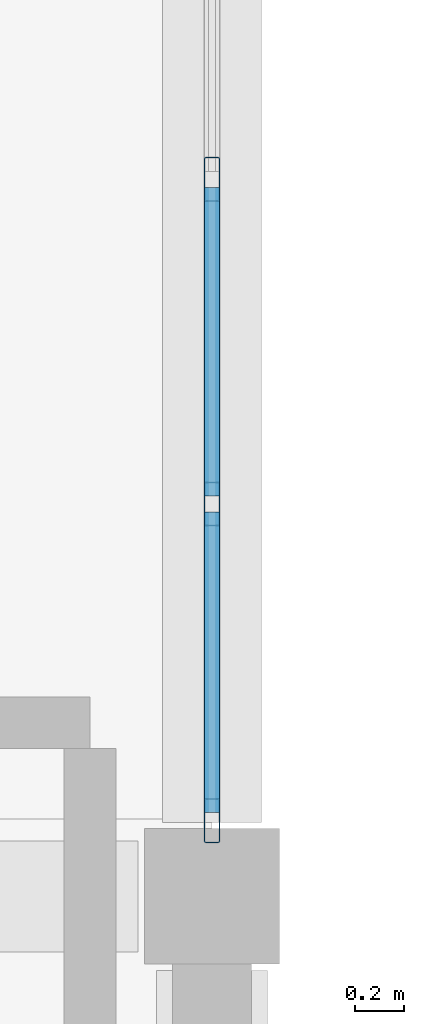
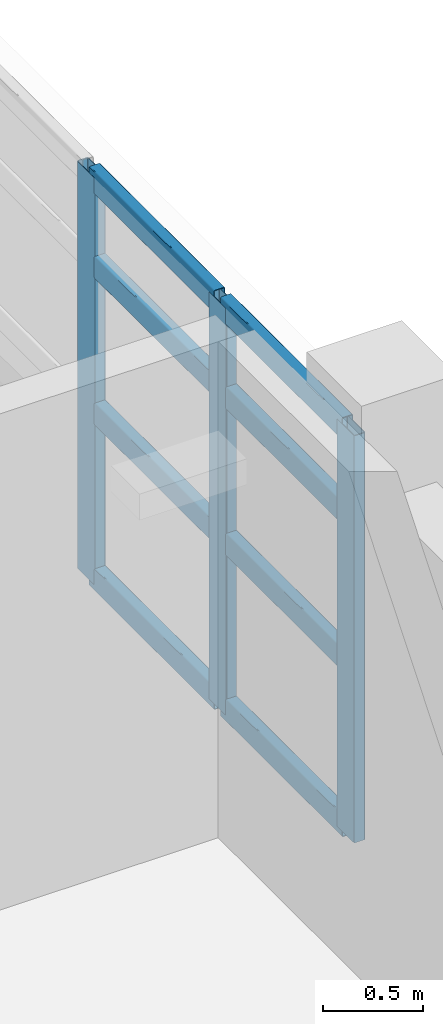
# One storey, part 11 of 34: 11 members, 1 element without a shape of its own.
"""IFC4 building model written with IfcOpenShell, lengths in metres."""

from ifc_helpers import new_model, si_unit, direction, frame, origin, origin_2d, place, context, subcontext, project, spatial, hollow_rectangle, extrude, material, material_profile, profile_set, type_object, element, aggregate, save


model = new_model("IFC4")

# Units and contexts
model_context = context("Model", 3, precision=1e-05, world=origin(), true_north=direction((0.0, 1.0)))
body_context = subcontext(model_context, "Body", "Model", "MODEL_VIEW")
ifc_project = project(units=[si_unit("LENGTHUNIT", "METRE"), si_unit("AREAUNIT", "SQUARE_METRE"), si_unit("VOLUMEUNIT", "CUBIC_METRE"), si_unit("PLANEANGLEUNIT", "RADIAN"), si_unit("MASSUNIT", "GRAM", prefix="KILO")], contexts=[model_context])

# Site, building, storey
site_placement = place(None, origin())
site = spatial("IfcSite", under=ifc_project, at=site_placement, CompositionType="ELEMENT")
building_placement = place(site_placement, origin())
building = spatial("IfcBuilding", under=site, at=building_placement, Name="Varnakota Cinema and Media Centre", CompositionType="ELEMENT")
storey_placement = place(building_placement, frame((0.0, 0.0, 19.050048828125)))
storey = spatial("IfcBuildingStorey", under=building, at=storey_placement, Name="L05", CompositionType="ELEMENT", Elevation=19.050048828125)

# Curtain wall, members
ifc_material_1 = material(Name="Thermally broken anodised aluminium AW-6063", Category="aluminium")
curtain_wall_type = type_object("IfcCurtainWallType", Name="CW-STD-396x250", PredefinedType="USERDEFINED", material=ifc_material_1)
curtain_wall_placement = place(storey_placement, origin())
curtain_wall = element("IfcCurtainWall", 1, at=curtain_wall_placement, inside=storey, type_object=curtain_wall_type, Name="L05 curtain wall CW-L05-V5-E-02-1", ObjectType="UNITISED CURTAIN WALL", PredefinedType="USERDEFINED")
ifc_material_2 = material(Name="Thermally broken anodised aluminium AW-6063", Category="aluminium")
ifc_material_profile_1 = material_profile(ifc_material_2, hollow_rectangle(XDim=0.06494140625, YDim=0.179931640625, WallThickness=0.00390625, InnerFilletRadius=0.00390625, OuterFilletRadius=0.008056640625, at=origin_2d()), Name="AL-MULLION 180x65x4")
ifc_profile_set_1 = profile_set([ifc_material_profile_1], Name="Thermally broken anodised aluminium AW-6063")
member_type_1 = type_object("IfcMemberType", Name="CWM-AL-180", PredefinedType="MULLION", material=ifc_profile_set_1)
member_1_placement = place(storey_placement, frame((25.800048828125, 44.3076171875, 0.0), z_axis=(0.0, 0.0, 1.0), x_axis=(-1.0, 0.0, 0.0)))
member_1 = element("IfcMember", 2, at=member_1_placement, type_object=member_type_1, Name="CW52 mullion 1", PredefinedType="MULLION", context=body_context, shape_type="SweptSolid", body=[
    extrude(hollow_rectangle(XDim=0.06494140625, YDim=0.179931640625, WallThickness=0.00390625, InnerFilletRadius=0.00390625, OuterFilletRadius=0.008056640625, at=origin_2d()), origin(), (0.0, 0.0, 1.0), 2.494873046875),
])
member_2_placement = place(storey_placement, frame((25.800048828125, 45.59326171875, 0.0), z_axis=(0.0, 0.0, 1.0), x_axis=(-1.0, 0.0, 0.0)))
member_2 = element("IfcMember", 3, at=member_2_placement, type_object=member_type_1, Name="CW52 mullion 2", PredefinedType="MULLION", context=body_context, shape_type="SweptSolid", body=[
    extrude(hollow_rectangle(XDim=0.06494140625, YDim=0.179931640625, WallThickness=0.00390625, InnerFilletRadius=0.00390625, OuterFilletRadius=0.008056640625, at=origin_2d()), origin(), (0.0, 0.0, 1.0), 2.494873046875),
])
member_3_placement = place(storey_placement, frame((25.800048828125, 46.91162109375, 0.0), z_axis=(0.0, 0.0, 1.0), x_axis=(-1.0, 0.0, 0.0)))
member_3 = element("IfcMember", 4, at=member_3_placement, type_object=member_type_1, Name="CW52 mullion 3", PredefinedType="MULLION", context=body_context, shape_type="SweptSolid", body=[
    extrude(hollow_rectangle(XDim=0.06494140625, YDim=0.179931640625, WallThickness=0.00390625, InnerFilletRadius=0.00390625, OuterFilletRadius=0.008056640625, at=origin_2d()), origin(), (0.0, 0.0, 1.0), 2.494873046875),
])
ifc_material_3 = material(Name="Thermally broken anodised aluminium AW-6063", Category="aluminium")
ifc_material_profile_2 = material_profile(ifc_material_3, hollow_rectangle(XDim=0.06494140625, YDim=0.139892578125, WallThickness=0.00390625, InnerFilletRadius=0.00390625, OuterFilletRadius=0.008056640625, at=origin_2d()), Name="AL-TRANSOM 140x65x4")
ifc_profile_set_2 = profile_set([ifc_material_profile_2], Name="Thermally broken anodised aluminium AW-6063")
member_type_2 = type_object("IfcMemberType", Name="CWT-AL-140", PredefinedType="USERDEFINED", material=ifc_profile_set_2)
member_4_placement = place(storey_placement, frame((25.800048828125, 44.340087890625, 0.032470703125), z_axis=(0.0, 1.0, 0.0), x_axis=(-1.0, 0.0, 0.0)))
member_4 = element("IfcMember", 5, at=member_4_placement, type_object=member_type_2, Name="CW52 transom 1.1", ObjectType="TRANSOM", PredefinedType="USERDEFINED", context=body_context, shape_type="SweptSolid", body=[
    extrude(hollow_rectangle(XDim=0.06494140625, YDim=0.139892578125, WallThickness=0.00390625, InnerFilletRadius=0.00390625, OuterFilletRadius=0.008056640625, at=origin_2d()), origin(), (0.0, 0.0, 1.0), 1.220703125),
])
member_5_placement = place(storey_placement, frame((25.800048828125, 44.340087890625, 1.0478515625), z_axis=(0.0, 1.0, 0.0), x_axis=(-1.0, 0.0, 0.0)))
member_5 = element("IfcMember", 6, at=member_5_placement, type_object=member_type_2, Name="CW52 transom 1.2", ObjectType="TRANSOM", PredefinedType="USERDEFINED", context=body_context, shape_type="SweptSolid", body=[
    extrude(hollow_rectangle(XDim=0.06494140625, YDim=0.139892578125, WallThickness=0.00390625, InnerFilletRadius=0.00390625, OuterFilletRadius=0.008056640625, at=origin_2d()), origin(), (0.0, 0.0, 1.0), 1.220703125),
])
member_6_placement = place(storey_placement, frame((25.800048828125, 44.340087890625, 1.946044921875), z_axis=(0.0, 1.0, 0.0), x_axis=(-1.0, 0.0, 0.0)))
member_6 = element("IfcMember", 7, at=member_6_placement, type_object=member_type_2, Name="CW52 transom 1.3", ObjectType="TRANSOM", PredefinedType="USERDEFINED", context=body_context, shape_type="SweptSolid", body=[
    extrude(hollow_rectangle(XDim=0.06494140625, YDim=0.139892578125, WallThickness=0.00390625, InnerFilletRadius=0.00390625, OuterFilletRadius=0.008056640625, at=origin_2d()), origin(), (0.0, 0.0, 1.0), 1.220703125),
])
member_7_placement = place(storey_placement, frame((25.800048828125, 44.340087890625, 2.46240234375), z_axis=(0.0, 1.0, 0.0), x_axis=(-1.0, 0.0, 0.0)))
member_7 = element("IfcMember", 8, at=member_7_placement, type_object=member_type_2, Name="CW52 transom 1.4", ObjectType="TRANSOM", PredefinedType="USERDEFINED", context=body_context, shape_type="SweptSolid", body=[
    extrude(hollow_rectangle(XDim=0.06494140625, YDim=0.139892578125, WallThickness=0.00390625, InnerFilletRadius=0.00390625, OuterFilletRadius=0.008056640625, at=origin_2d()), origin(), (0.0, 0.0, 1.0), 1.220703125),
])
member_8_placement = place(storey_placement, frame((25.800048828125, 45.625732421875, 0.032470703125), z_axis=(0.0, 1.0, 0.0), x_axis=(-1.0, 0.0, 0.0)))
member_8 = element("IfcMember", 9, at=member_8_placement, type_object=member_type_2, Name="CW52 transom 2.1", ObjectType="TRANSOM", PredefinedType="USERDEFINED", context=body_context, shape_type="SweptSolid", body=[
    extrude(hollow_rectangle(XDim=0.06494140625, YDim=0.139892578125, WallThickness=0.00390625, InnerFilletRadius=0.00390625, OuterFilletRadius=0.008056640625, at=origin_2d()), origin(), (0.0, 0.0, 1.0), 1.25341796875),
])
member_9_placement = place(storey_placement, frame((25.800048828125, 45.625732421875, 1.0478515625), z_axis=(0.0, 1.0, 0.0), x_axis=(-1.0, 0.0, 0.0)))
member_9 = element("IfcMember", 10, at=member_9_placement, type_object=member_type_2, Name="CW52 transom 2.2", ObjectType="TRANSOM", PredefinedType="USERDEFINED", context=body_context, shape_type="SweptSolid", body=[
    extrude(hollow_rectangle(XDim=0.06494140625, YDim=0.139892578125, WallThickness=0.00390625, InnerFilletRadius=0.00390625, OuterFilletRadius=0.008056640625, at=origin_2d()), origin(), (0.0, 0.0, 1.0), 1.25341796875),
])
member_10_placement = place(storey_placement, frame((25.800048828125, 45.625732421875, 1.946044921875), z_axis=(0.0, 1.0, 0.0), x_axis=(-1.0, 0.0, 0.0)))
member_10 = element("IfcMember", 11, at=member_10_placement, type_object=member_type_2, Name="CW52 transom 2.3", ObjectType="TRANSOM", PredefinedType="USERDEFINED", context=body_context, shape_type="SweptSolid", body=[
    extrude(hollow_rectangle(XDim=0.06494140625, YDim=0.139892578125, WallThickness=0.00390625, InnerFilletRadius=0.00390625, OuterFilletRadius=0.008056640625, at=origin_2d()), origin(), (0.0, 0.0, 1.0), 1.25341796875),
])
member_11_placement = place(storey_placement, frame((25.800048828125, 45.625732421875, 2.46240234375), z_axis=(0.0, 1.0, 0.0), x_axis=(-1.0, 0.0, 0.0)))
member_11 = element("IfcMember", 12, at=member_11_placement, type_object=member_type_2, Name="CW52 transom 2.4", ObjectType="TRANSOM", PredefinedType="USERDEFINED", context=body_context, shape_type="SweptSolid", body=[
    extrude(hollow_rectangle(XDim=0.06494140625, YDim=0.139892578125, WallThickness=0.00390625, InnerFilletRadius=0.00390625, OuterFilletRadius=0.008056640625, at=origin_2d()), origin(), (0.0, 0.0, 1.0), 1.25341796875),
])
aggregate(curtain_wall, [member_1, member_2, member_3, member_4, member_5, member_6, member_7, member_8, member_9, member_10, member_11])

save(model, "model.ifc")
